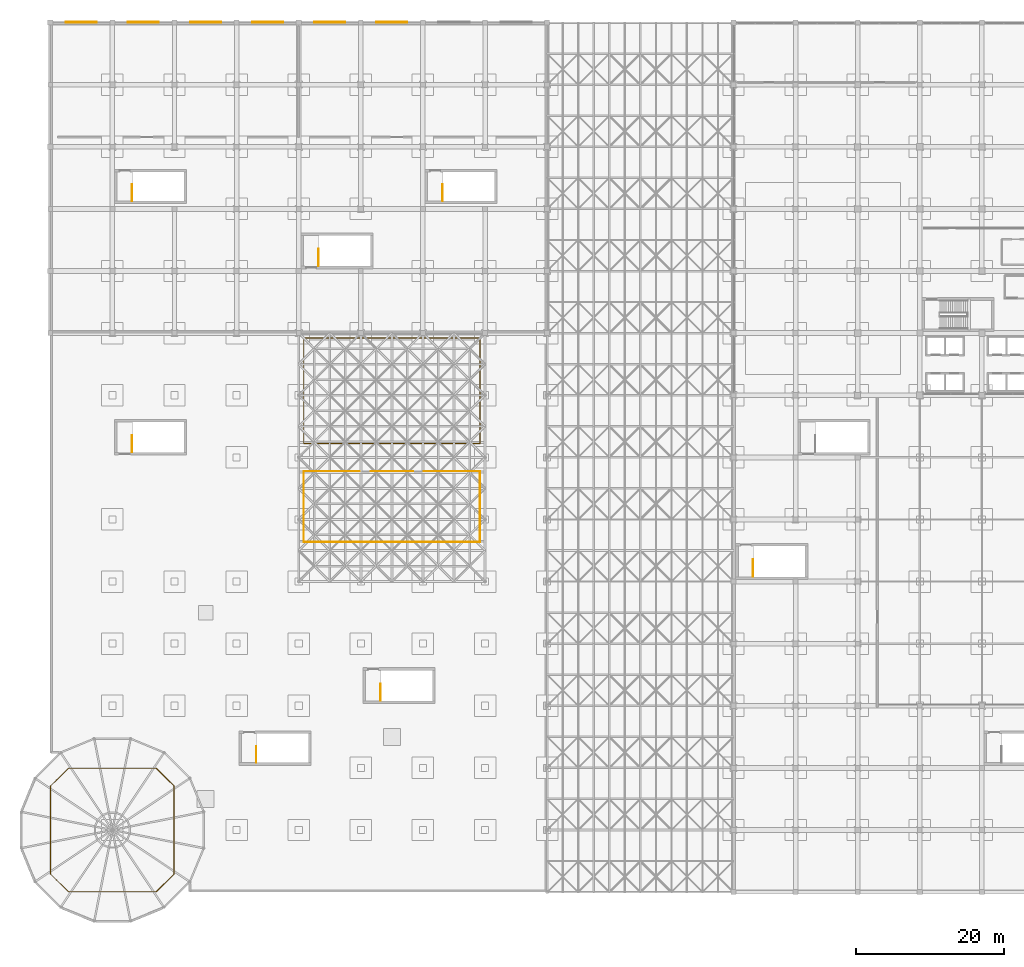
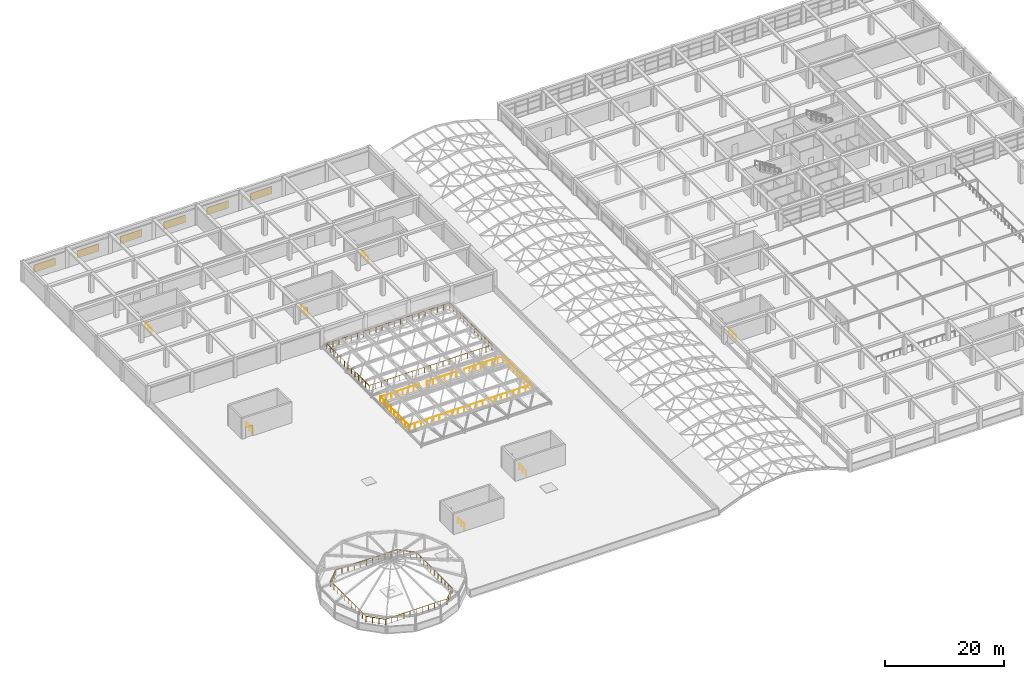
# One storey, part 81 of 85: 13 railings, 6 shading devices.
"""IFC4 building model written with IfcOpenShell, lengths in metres."""

from ifc_helpers import new_model, si_unit, direction, frame, origin, origin_2d, place, context, subcontext, project, spatial, rectangle, circle, extrude, material, layer, layer_set, type_object, element, save


model = new_model("IFC4")

# Units and contexts
model_context = context("Model", 3, precision=1e-05, world=origin(), true_north=direction((0.0, 1.0)))
body_context = subcontext(model_context, "Body", "Model", "MODEL_VIEW")
ifc_project = project(units=[si_unit("LENGTHUNIT", "METRE"), si_unit("AREAUNIT", "SQUARE_METRE"), si_unit("VOLUMEUNIT", "CUBIC_METRE"), si_unit("PLANEANGLEUNIT", "RADIAN"), si_unit("MASSUNIT", "GRAM", prefix="KILO")], contexts=[model_context])

# Site, building, storey
site_placement = place(None, origin())
site = spatial("IfcSite", under=ifc_project, at=site_placement, CompositionType="ELEMENT")
building_placement = place(site_placement, origin())
building = spatial("IfcBuilding", under=site, at=building_placement, Name="Almacenes y Pasaje Nevantli", CompositionType="ELEMENT")
storey_placement = place(building_placement, frame((0.0, 0.0, 22.199951171875)))
storey = spatial("IfcBuildingStorey", under=building, at=storey_placement, Name="L05", CompositionType="ELEMENT", Elevation=22.199951171875)

# Railings
ifc_material_1 = material(Name="Brushed Stainless Steel and Tempered Safety Glass", Category="steel")
railing_type = type_object("IfcRailingType", Name="RL-GUARD-1100", PredefinedType="BALUSTRADE", material=ifc_material_1)
for number, where, name in (
    (1, (11.06005859375, 93.489990234375, 0.0), "L05 Stair ST-03 Top Floor Well Guard"),
    (2, (27.860107421875, 17.5400390625, 0.0), "L05 Stair ST-04 Top Floor Well Guard"),
    (3, (53.06005859375, 93.489990234375, 0.0), "L05 Stair ST-05 Top Floor Well Guard"),
):
    element("IfcRailing", number, at=place(storey_placement, frame(where)), inside=storey, type_object=railing_type, Name=name, PredefinedType="BALUSTRADE", context=body_context, shape_type="SweptSolid", body=[
        extrude(circle(Radius=0.02392578125, at=origin_2d()), frame((0.0, 0.030029296875, 1.1259765625), z_axis=(0.0, 1.0, 0.0), x_axis=(-1.0, 0.0, 0.0)), (0.0, 0.0, 1.0), 2.139892578125),
        extrude(circle(Radius=0.02099609375, at=origin_2d()), origin(), (0.0, 0.0, 1.0), 1.096923828125),
        extrude(circle(Radius=0.02099609375, at=origin_2d()), frame((0.0, 1.10009765625, 0.0)), (0.0, 0.0, 1.0), 1.096923828125),
        extrude(circle(Radius=0.02099609375, at=origin_2d()), frame((0.0, 2.199951171875, 0.0)), (0.0, 0.0, 1.0), 1.096923828125),
    ])
for number, where, name in (
    (4, (95.06005859375, 42.68994140625, 0.0), "L05 Stair ST-08 Top Floor Well Guard"),
    (5, (11.06005859375, 59.489990234375, 0.0), "L05 Stair ST-12 Top Floor Well Guard"),
    (6, (44.659912109375, 25.889892578125, 0.0), "L05 Stair ST-14 Top Floor Well Guard"),
    (7, (36.260009765625, 84.68994140625, 0.0), "L05 Stair ST-15 Top Floor Well Guard"),
):
    element("IfcRailing", number, at=place(storey_placement, frame(where)), inside=storey, type_object=railing_type, Name=name, PredefinedType="BALUSTRADE", context=body_context, shape_type="SweptSolid", body=[
        extrude(circle(Radius=0.02392578125, at=origin_2d()), frame((0.0, 0.030029296875, 1.1259765625), z_axis=(0.0, 1.0, 0.0), x_axis=(-1.0, 0.0, 0.0)), (0.0, 0.0, 1.0), 2.239990234375),
        extrude(circle(Radius=0.02099609375, at=origin_2d()), origin(), (0.0, 0.0, 1.0), 1.096923828125),
        extrude(circle(Radius=0.02099609375, at=origin_2d()), frame((0.0, 1.14990234375, 0.0)), (0.0, 0.0, 1.0), 1.096923828125),
        extrude(circle(Radius=0.02099609375, at=origin_2d()), frame((0.0, 2.300048828125, 0.0)), (0.0, 0.0, 1.0), 1.096923828125),
    ])
railing_1_placement = place(storey_placement, frame((34.280029296875, 60.679931640625, 0.0)))
element("IfcRailing", 8, at=railing_1_placement, inside=storey, type_object=railing_type, Name="L05 North Atrium Void Perimeter Guard Balustrade", PredefinedType="BALUSTRADE", context=body_context, shape_type="SweptSolid", body=[
    extrude(circle(Radius=0.02392578125, at=origin_2d()), frame((0.030029296875, 0.0, 1.1259765625), z_axis=(1.0, 0.0, 0.0), x_axis=(0.0, 1.0, 0.0)), (0.0, 0.0, 1.0), 23.780029296875),
    extrude(circle(Radius=0.02392578125, at=origin_2d()), frame((23.840087890625, 0.030029296875, 1.1259765625), z_axis=(0.0, 1.0, 0.0), x_axis=(-1.0, 0.0, 0.0)), (0.0, 0.0, 1.0), 14.179931640625),
    extrude(circle(Radius=0.02392578125, at=origin_2d()), frame((23.81005859375, 14.239990234375, 1.1259765625), z_axis=(-1.0, 0.0, 0.0), x_axis=(0.0, -1.0, 0.0)), (0.0, 0.0, 1.0), 23.780029296875),
    extrude(circle(Radius=0.02392578125, at=origin_2d()), frame((0.0, 14.2099609375, 1.1259765625), z_axis=(0.0, -1.0, 0.0), x_axis=(1.0, 0.0, 0.0)), (0.0, 0.0, 1.0), 14.179931640625),
    extrude(circle(Radius=0.02099609375, at=origin_2d()), origin(), (0.0, 0.0, 1.0), 1.096923828125),
    extrude(circle(Radius=0.02099609375, at=origin_2d()), frame((1.19189453125, 0.0, 0.0)), (0.0, 0.0, 1.0), 1.096923828125),
    extrude(circle(Radius=0.02099609375, at=origin_2d()), frame((2.384033203125, 0.0, 0.0)), (0.0, 0.0, 1.0), 1.096923828125),
    extrude(circle(Radius=0.02099609375, at=origin_2d()), frame((3.575927734375, 0.0, 0.0)), (0.0, 0.0, 1.0), 1.096923828125),
    extrude(circle(Radius=0.02099609375, at=origin_2d()), frame((4.76806640625, 0.0, 0.0)), (0.0, 0.0, 1.0), 1.096923828125),
    extrude(circle(Radius=0.02099609375, at=origin_2d()), frame((5.9599609375, 0.0, 0.0)), (0.0, 0.0, 1.0), 1.096923828125),
    extrude(circle(Radius=0.02099609375, at=origin_2d()), frame((7.152099609375, 0.0, 0.0)), (0.0, 0.0, 1.0), 1.096923828125),
    extrude(circle(Radius=0.02099609375, at=origin_2d()), frame((8.343994140625, 0.0, 0.0)), (0.0, 0.0, 1.0), 1.096923828125),
    extrude(circle(Radius=0.02099609375, at=origin_2d()), frame((9.5361328125, 0.0, 0.0)), (0.0, 0.0, 1.0), 1.096923828125),
    extrude(circle(Radius=0.02099609375, at=origin_2d()), frame((10.72802734375, 0.0, 0.0)), (0.0, 0.0, 1.0), 1.096923828125),
    extrude(circle(Radius=0.02099609375, at=origin_2d()), frame((11.919921875, 0.0, 0.0)), (0.0, 0.0, 1.0), 1.096923828125),
    extrude(circle(Radius=0.02099609375, at=origin_2d()), frame((13.112060546875, 0.0, 0.0)), (0.0, 0.0, 1.0), 1.096923828125),
    extrude(circle(Radius=0.02099609375, at=origin_2d()), frame((14.303955078125, 0.0, 0.0)), (0.0, 0.0, 1.0), 1.096923828125),
    extrude(circle(Radius=0.02099609375, at=origin_2d()), frame((15.49609375, 0.0, 0.0)), (0.0, 0.0, 1.0), 1.096923828125),
    extrude(circle(Radius=0.02099609375, at=origin_2d()), frame((16.68798828125, 0.0, 0.0)), (0.0, 0.0, 1.0), 1.096923828125),
    extrude(circle(Radius=0.02099609375, at=origin_2d()), frame((17.880126953125, 0.0, 0.0)), (0.0, 0.0, 1.0), 1.096923828125),
    extrude(circle(Radius=0.02099609375, at=origin_2d()), frame((19.072021484375, 0.0, 0.0)), (0.0, 0.0, 1.0), 1.096923828125),
    extrude(circle(Radius=0.02099609375, at=origin_2d()), frame((20.26416015625, 0.0, 0.0)), (0.0, 0.0, 1.0), 1.096923828125),
    extrude(circle(Radius=0.02099609375, at=origin_2d()), frame((21.4560546875, 0.0, 0.0)), (0.0, 0.0, 1.0), 1.096923828125),
    extrude(circle(Radius=0.02099609375, at=origin_2d()), frame((22.648193359375, 0.0, 0.0)), (0.0, 0.0, 1.0), 1.096923828125),
    extrude(circle(Radius=0.02099609375, at=origin_2d()), frame((23.840087890625, 0.0, 0.0)), (0.0, 0.0, 1.0), 1.096923828125),
    extrude(circle(Radius=0.02099609375, at=origin_2d()), frame((23.840087890625, 1.186767578125, 0.0)), (0.0, 0.0, 1.0), 1.096923828125),
    extrude(circle(Radius=0.02099609375, at=origin_2d()), frame((23.840087890625, 2.373291015625, 0.0)), (0.0, 0.0, 1.0), 1.096923828125),
    extrude(circle(Radius=0.02099609375, at=origin_2d()), frame((23.840087890625, 3.56005859375, 0.0)), (0.0, 0.0, 1.0), 1.096923828125),
    extrude(circle(Radius=0.02099609375, at=origin_2d()), frame((23.840087890625, 4.74658203125, 0.0)), (0.0, 0.0, 1.0), 1.096923828125),
    extrude(circle(Radius=0.02099609375, at=origin_2d()), frame((23.840087890625, 5.933349609375, 0.0)), (0.0, 0.0, 1.0), 1.096923828125),
    extrude(circle(Radius=0.02099609375, at=origin_2d()), frame((23.840087890625, 7.1201171875, 0.0)), (0.0, 0.0, 1.0), 1.096923828125),
    extrude(circle(Radius=0.02099609375, at=origin_2d()), frame((23.840087890625, 8.306640625, 0.0)), (0.0, 0.0, 1.0), 1.096923828125),
    extrude(circle(Radius=0.02099609375, at=origin_2d()), frame((23.840087890625, 9.493408203125, 0.0)), (0.0, 0.0, 1.0), 1.096923828125),
    extrude(circle(Radius=0.02099609375, at=origin_2d()), frame((23.840087890625, 10.679931640625, 0.0)), (0.0, 0.0, 1.0), 1.096923828125),
    extrude(circle(Radius=0.02099609375, at=origin_2d()), frame((23.840087890625, 11.86669921875, 0.0)), (0.0, 0.0, 1.0), 1.096923828125),
    extrude(circle(Radius=0.02099609375, at=origin_2d()), frame((23.840087890625, 13.05322265625, 0.0)), (0.0, 0.0, 1.0), 1.096923828125),
    extrude(circle(Radius=0.02099609375, at=origin_2d()), frame((23.840087890625, 14.239990234375, 0.0)), (0.0, 0.0, 1.0), 1.096923828125),
    extrude(circle(Radius=0.02099609375, at=origin_2d()), frame((22.648193359375, 14.239990234375, 0.0)), (0.0, 0.0, 1.0), 1.096923828125),
    extrude(circle(Radius=0.02099609375, at=origin_2d()), frame((21.4560546875, 14.239990234375, 0.0)), (0.0, 0.0, 1.0), 1.096923828125),
    extrude(circle(Radius=0.02099609375, at=origin_2d()), frame((20.26416015625, 14.239990234375, 0.0)), (0.0, 0.0, 1.0), 1.096923828125),
    extrude(circle(Radius=0.02099609375, at=origin_2d()), frame((19.072021484375, 14.239990234375, 0.0)), (0.0, 0.0, 1.0), 1.096923828125),
    extrude(circle(Radius=0.02099609375, at=origin_2d()), frame((17.880126953125, 14.239990234375, 0.0)), (0.0, 0.0, 1.0), 1.096923828125),
    extrude(circle(Radius=0.02099609375, at=origin_2d()), frame((16.68798828125, 14.239990234375, 0.0)), (0.0, 0.0, 1.0), 1.096923828125),
    extrude(circle(Radius=0.02099609375, at=origin_2d()), frame((15.49609375, 14.239990234375, 0.0)), (0.0, 0.0, 1.0), 1.096923828125),
    extrude(circle(Radius=0.02099609375, at=origin_2d()), frame((14.303955078125, 14.239990234375, 0.0)), (0.0, 0.0, 1.0), 1.096923828125),
    extrude(circle(Radius=0.02099609375, at=origin_2d()), frame((13.112060546875, 14.239990234375, 0.0)), (0.0, 0.0, 1.0), 1.096923828125),
    extrude(circle(Radius=0.02099609375, at=origin_2d()), frame((11.919921875, 14.239990234375, 0.0)), (0.0, 0.0, 1.0), 1.096923828125),
    extrude(circle(Radius=0.02099609375, at=origin_2d()), frame((10.72802734375, 14.239990234375, 0.0)), (0.0, 0.0, 1.0), 1.096923828125),
    extrude(circle(Radius=0.02099609375, at=origin_2d()), frame((9.5361328125, 14.239990234375, 0.0)), (0.0, 0.0, 1.0), 1.096923828125),
    extrude(circle(Radius=0.02099609375, at=origin_2d()), frame((8.343994140625, 14.239990234375, 0.0)), (0.0, 0.0, 1.0), 1.096923828125),
    extrude(circle(Radius=0.02099609375, at=origin_2d()), frame((7.152099609375, 14.239990234375, 0.0)), (0.0, 0.0, 1.0), 1.096923828125),
    extrude(circle(Radius=0.02099609375, at=origin_2d()), frame((5.9599609375, 14.239990234375, 0.0)), (0.0, 0.0, 1.0), 1.096923828125),
    extrude(circle(Radius=0.02099609375, at=origin_2d()), frame((4.76806640625, 14.239990234375, 0.0)), (0.0, 0.0, 1.0), 1.096923828125),
    extrude(circle(Radius=0.02099609375, at=origin_2d()), frame((3.575927734375, 14.239990234375, 0.0)), (0.0, 0.0, 1.0), 1.096923828125),
    extrude(circle(Radius=0.02099609375, at=origin_2d()), frame((2.384033203125, 14.239990234375, 0.0)), (0.0, 0.0, 1.0), 1.096923828125),
    extrude(circle(Radius=0.02099609375, at=origin_2d()), frame((1.19189453125, 14.239990234375, 0.0)), (0.0, 0.0, 1.0), 1.096923828125),
    extrude(circle(Radius=0.02099609375, at=origin_2d()), frame((0.0, 14.239990234375, 0.0)), (0.0, 0.0, 1.0), 1.096923828125),
    extrude(circle(Radius=0.02099609375, at=origin_2d()), frame((0.0, 13.05322265625, 0.0)), (0.0, 0.0, 1.0), 1.096923828125),
    extrude(circle(Radius=0.02099609375, at=origin_2d()), frame((0.0, 11.86669921875, 0.0)), (0.0, 0.0, 1.0), 1.096923828125),
    extrude(circle(Radius=0.02099609375, at=origin_2d()), frame((0.0, 10.679931640625, 0.0)), (0.0, 0.0, 1.0), 1.096923828125),
    extrude(circle(Radius=0.02099609375, at=origin_2d()), frame((0.0, 9.493408203125, 0.0)), (0.0, 0.0, 1.0), 1.096923828125),
    extrude(circle(Radius=0.02099609375, at=origin_2d()), frame((0.0, 8.306640625, 0.0)), (0.0, 0.0, 1.0), 1.096923828125),
    extrude(circle(Radius=0.02099609375, at=origin_2d()), frame((0.0, 7.1201171875, 0.0)), (0.0, 0.0, 1.0), 1.096923828125),
    extrude(circle(Radius=0.02099609375, at=origin_2d()), frame((0.0, 5.933349609375, 0.0)), (0.0, 0.0, 1.0), 1.096923828125),
    extrude(circle(Radius=0.02099609375, at=origin_2d()), frame((0.0, 4.74658203125, 0.0)), (0.0, 0.0, 1.0), 1.096923828125),
    extrude(circle(Radius=0.02099609375, at=origin_2d()), frame((0.0, 3.56005859375, 0.0)), (0.0, 0.0, 1.0), 1.096923828125),
    extrude(circle(Radius=0.02099609375, at=origin_2d()), frame((0.0, 2.373291015625, 0.0)), (0.0, 0.0, 1.0), 1.096923828125),
    extrude(circle(Radius=0.02099609375, at=origin_2d()), frame((0.0, 1.186767578125, 0.0)), (0.0, 0.0, 1.0), 1.096923828125),
])
railing_2_placement = place(storey_placement, frame((41.85009765625, 56.919921875, 0.0)))
element("IfcRailing", 9, at=railing_2_placement, inside=storey, type_object=railing_type, Name="L05 South Atrium Void West Guard Balustrade", PredefinedType="BALUSTRADE", context=body_context, shape_type="SweptSolid", body=[
    extrude(circle(Radius=0.02392578125, at=origin_2d()), frame((-0.030029296875, 0.0, 1.1259765625), z_axis=(-1.0, 0.0, 0.0), x_axis=(0.0, -1.0, 0.0)), (0.0, 0.0, 1.0), 7.510009765625),
    extrude(circle(Radius=0.02392578125, at=origin_2d()), frame((-7.570068359375, -0.030029296875, 1.1259765625), z_axis=(0.0, -1.0, 0.0), x_axis=(1.0, 0.0, 0.0)), (0.0, 0.0, 1.0), 9.52978515625),
    extrude(circle(Radius=0.02099609375, at=origin_2d()), origin(), (0.0, 0.0, 1.0), 1.096923828125),
    extrude(circle(Radius=0.02099609375, at=origin_2d()), frame((-1.08154296875, 0.0, 0.0)), (0.0, 0.0, 1.0), 1.096923828125),
    extrude(circle(Radius=0.02099609375, at=origin_2d()), frame((-2.162841796875, 0.0, 0.0)), (0.0, 0.0, 1.0), 1.096923828125),
    extrude(circle(Radius=0.02099609375, at=origin_2d()), frame((-3.244384765625, 0.0, 0.0)), (0.0, 0.0, 1.0), 1.096923828125),
    extrude(circle(Radius=0.02099609375, at=origin_2d()), frame((-4.32568359375, 0.0, 0.0)), (0.0, 0.0, 1.0), 1.096923828125),
    extrude(circle(Radius=0.02099609375, at=origin_2d()), frame((-5.4072265625, 0.0, 0.0)), (0.0, 0.0, 1.0), 1.096923828125),
    extrude(circle(Radius=0.02099609375, at=origin_2d()), frame((-6.488525390625, 0.0, 0.0)), (0.0, 0.0, 1.0), 1.096923828125),
    extrude(circle(Radius=0.02099609375, at=origin_2d()), frame((-7.570068359375, 0.0, 0.0)), (0.0, 0.0, 1.0), 1.096923828125),
    extrude(circle(Radius=0.02099609375, at=origin_2d()), frame((-7.570068359375, -1.19873046875, 0.0)), (0.0, 0.0, 1.0), 1.096923828125),
    extrude(circle(Radius=0.02099609375, at=origin_2d()), frame((-7.570068359375, -2.3974609375, 0.0)), (0.0, 0.0, 1.0), 1.096923828125),
    extrude(circle(Radius=0.02099609375, at=origin_2d()), frame((-7.570068359375, -3.59619140625, 0.0)), (0.0, 0.0, 1.0), 1.096923828125),
    extrude(circle(Radius=0.02099609375, at=origin_2d()), frame((-7.570068359375, -4.794921875, 0.0)), (0.0, 0.0, 1.0), 1.096923828125),
    extrude(circle(Radius=0.02099609375, at=origin_2d()), frame((-7.570068359375, -5.99365234375, 0.0)), (0.0, 0.0, 1.0), 1.096923828125),
    extrude(circle(Radius=0.02099609375, at=origin_2d()), frame((-7.570068359375, -7.1923828125, 0.0)), (0.0, 0.0, 1.0), 1.096923828125),
    extrude(circle(Radius=0.02099609375, at=origin_2d()), frame((-7.570068359375, -8.39111328125, 0.0)), (0.0, 0.0, 1.0), 1.096923828125),
    extrude(circle(Radius=0.02099609375, at=origin_2d()), frame((-7.570068359375, -9.58984375, 0.0)), (0.0, 0.0, 1.0), 1.096923828125),
])
railing_3_placement = place(storey_placement, frame((43.35009765625, 56.919921875, 0.0)))
element("IfcRailing", 10, at=railing_3_placement, inside=storey, type_object=railing_type, Name="L05 South Atrium Bridge Center Guard Balustrade", PredefinedType="BALUSTRADE", context=body_context, shape_type="SweptSolid", body=[
    extrude(circle(Radius=0.02392578125, at=origin_2d()), frame((0.030029296875, 0.0, 1.1259765625), z_axis=(1.0, 0.0, 0.0), x_axis=(0.0, 1.0, 0.0)), (0.0, 0.0, 1.0), 5.639892578125),
    extrude(circle(Radius=0.02099609375, at=origin_2d()), origin(), (0.0, 0.0, 1.0), 1.096923828125),
    extrude(circle(Radius=0.02099609375, at=origin_2d()), frame((1.139892578125, 0.0, 0.0)), (0.0, 0.0, 1.0), 1.096923828125),
    extrude(circle(Radius=0.02099609375, at=origin_2d()), frame((2.280029296875, 0.0, 0.0)), (0.0, 0.0, 1.0), 1.096923828125),
    extrude(circle(Radius=0.02099609375, at=origin_2d()), frame((3.419921875, 0.0, 0.0)), (0.0, 0.0, 1.0), 1.096923828125),
    extrude(circle(Radius=0.02099609375, at=origin_2d()), frame((4.56005859375, 0.0, 0.0)), (0.0, 0.0, 1.0), 1.096923828125),
    extrude(circle(Radius=0.02099609375, at=origin_2d()), frame((5.699951171875, 0.0, 0.0)), (0.0, 0.0, 1.0), 1.096923828125),
])
railing_4_placement = place(storey_placement, frame((50.550048828125, 56.919921875, 0.0)))
element("IfcRailing", 11, at=railing_4_placement, inside=storey, type_object=railing_type, Name="L05 South Atrium Void East Guard Balustrade", PredefinedType="BALUSTRADE", context=body_context, shape_type="SweptSolid", body=[
    extrude(circle(Radius=0.02392578125, at=origin_2d()), frame((0.030029296875, 0.0, 1.1259765625), z_axis=(1.0, 0.0, 0.0), x_axis=(0.0, 1.0, 0.0)), (0.0, 0.0, 1.0), 7.510009765625),
    extrude(circle(Radius=0.02392578125, at=origin_2d()), frame((7.570068359375, -0.030029296875, 1.1259765625), z_axis=(0.0, -1.0, 0.0), x_axis=(1.0, 0.0, 0.0)), (0.0, 0.0, 1.0), 9.52978515625),
    extrude(circle(Radius=0.02099609375, at=origin_2d()), origin(), (0.0, 0.0, 1.0), 1.096923828125),
    extrude(circle(Radius=0.02099609375, at=origin_2d()), frame((1.08154296875, 0.0, 0.0)), (0.0, 0.0, 1.0), 1.096923828125),
    extrude(circle(Radius=0.02099609375, at=origin_2d()), frame((2.162841796875, 0.0, 0.0)), (0.0, 0.0, 1.0), 1.096923828125),
    extrude(circle(Radius=0.02099609375, at=origin_2d()), frame((3.244384765625, 0.0, 0.0)), (0.0, 0.0, 1.0), 1.096923828125),
    extrude(circle(Radius=0.02099609375, at=origin_2d()), frame((4.32568359375, 0.0, 0.0)), (0.0, 0.0, 1.0), 1.096923828125),
    extrude(circle(Radius=0.02099609375, at=origin_2d()), frame((5.4072265625, 0.0, 0.0)), (0.0, 0.0, 1.0), 1.096923828125),
    extrude(circle(Radius=0.02099609375, at=origin_2d()), frame((6.488525390625, 0.0, 0.0)), (0.0, 0.0, 1.0), 1.096923828125),
    extrude(circle(Radius=0.02099609375, at=origin_2d()), frame((7.570068359375, 0.0, 0.0)), (0.0, 0.0, 1.0), 1.096923828125),
    extrude(circle(Radius=0.02099609375, at=origin_2d()), frame((7.570068359375, -1.19873046875, 0.0)), (0.0, 0.0, 1.0), 1.096923828125),
    extrude(circle(Radius=0.02099609375, at=origin_2d()), frame((7.570068359375, -2.3974609375, 0.0)), (0.0, 0.0, 1.0), 1.096923828125),
    extrude(circle(Radius=0.02099609375, at=origin_2d()), frame((7.570068359375, -3.59619140625, 0.0)), (0.0, 0.0, 1.0), 1.096923828125),
    extrude(circle(Radius=0.02099609375, at=origin_2d()), frame((7.570068359375, -4.794921875, 0.0)), (0.0, 0.0, 1.0), 1.096923828125),
    extrude(circle(Radius=0.02099609375, at=origin_2d()), frame((7.570068359375, -5.99365234375, 0.0)), (0.0, 0.0, 1.0), 1.096923828125),
    extrude(circle(Radius=0.02099609375, at=origin_2d()), frame((7.570068359375, -7.1923828125, 0.0)), (0.0, 0.0, 1.0), 1.096923828125),
    extrude(circle(Radius=0.02099609375, at=origin_2d()), frame((7.570068359375, -8.39111328125, 0.0)), (0.0, 0.0, 1.0), 1.096923828125),
    extrude(circle(Radius=0.02099609375, at=origin_2d()), frame((7.570068359375, -9.58984375, 0.0)), (0.0, 0.0, 1.0), 1.096923828125),
])
railing_5_placement = place(storey_placement, frame((34.280029296875, 47.330078125, 0.0)))
element("IfcRailing", 12, at=railing_5_placement, inside=storey, type_object=railing_type, Name="L05 South Atrium Skylight Edge Guard", PredefinedType="BALUSTRADE", context=body_context, shape_type="SweptSolid", body=[
    extrude(circle(Radius=0.02392578125, at=origin_2d()), frame((0.030029296875, 0.0, 1.1259765625), z_axis=(1.0, 0.0, 0.0), x_axis=(0.0, 1.0, 0.0)), (0.0, 0.0, 1.0), 23.780029296875),
    extrude(circle(Radius=0.02099609375, at=origin_2d()), origin(), (0.0, 0.0, 1.0), 1.096923828125),
    extrude(circle(Radius=0.02099609375, at=origin_2d()), frame((1.19189453125, 0.0, 0.0)), (0.0, 0.0, 1.0), 1.096923828125),
    extrude(circle(Radius=0.02099609375, at=origin_2d()), frame((2.384033203125, 0.0, 0.0)), (0.0, 0.0, 1.0), 1.096923828125),
    extrude(circle(Radius=0.02099609375, at=origin_2d()), frame((3.575927734375, 0.0, 0.0)), (0.0, 0.0, 1.0), 1.096923828125),
    extrude(circle(Radius=0.02099609375, at=origin_2d()), frame((4.76806640625, 0.0, 0.0)), (0.0, 0.0, 1.0), 1.096923828125),
    extrude(circle(Radius=0.02099609375, at=origin_2d()), frame((5.9599609375, 0.0, 0.0)), (0.0, 0.0, 1.0), 1.096923828125),
    extrude(circle(Radius=0.02099609375, at=origin_2d()), frame((7.152099609375, 0.0, 0.0)), (0.0, 0.0, 1.0), 1.096923828125),
    extrude(circle(Radius=0.02099609375, at=origin_2d()), frame((8.343994140625, 0.0, 0.0)), (0.0, 0.0, 1.0), 1.096923828125),
    extrude(circle(Radius=0.02099609375, at=origin_2d()), frame((9.5361328125, 0.0, 0.0)), (0.0, 0.0, 1.0), 1.096923828125),
    extrude(circle(Radius=0.02099609375, at=origin_2d()), frame((10.72802734375, 0.0, 0.0)), (0.0, 0.0, 1.0), 1.096923828125),
    extrude(circle(Radius=0.02099609375, at=origin_2d()), frame((11.919921875, 0.0, 0.0)), (0.0, 0.0, 1.0), 1.096923828125),
    extrude(circle(Radius=0.02099609375, at=origin_2d()), frame((13.112060546875, 0.0, 0.0)), (0.0, 0.0, 1.0), 1.096923828125),
    extrude(circle(Radius=0.02099609375, at=origin_2d()), frame((14.303955078125, 0.0, 0.0)), (0.0, 0.0, 1.0), 1.096923828125),
    extrude(circle(Radius=0.02099609375, at=origin_2d()), frame((15.49609375, 0.0, 0.0)), (0.0, 0.0, 1.0), 1.096923828125),
    extrude(circle(Radius=0.02099609375, at=origin_2d()), frame((16.68798828125, 0.0, 0.0)), (0.0, 0.0, 1.0), 1.096923828125),
    extrude(circle(Radius=0.02099609375, at=origin_2d()), frame((17.880126953125, 0.0, 0.0)), (0.0, 0.0, 1.0), 1.096923828125),
    extrude(circle(Radius=0.02099609375, at=origin_2d()), frame((19.072021484375, 0.0, 0.0)), (0.0, 0.0, 1.0), 1.096923828125),
    extrude(circle(Radius=0.02099609375, at=origin_2d()), frame((20.26416015625, 0.0, 0.0)), (0.0, 0.0, 1.0), 1.096923828125),
    extrude(circle(Radius=0.02099609375, at=origin_2d()), frame((21.4560546875, 0.0, 0.0)), (0.0, 0.0, 1.0), 1.096923828125),
    extrude(circle(Radius=0.02099609375, at=origin_2d()), frame((22.648193359375, 0.0, 0.0)), (0.0, 0.0, 1.0), 1.096923828125),
    extrude(circle(Radius=0.02099609375, at=origin_2d()), frame((23.840087890625, 0.0, 0.0)), (0.0, 0.0, 1.0), 1.096923828125),
])
railing_6_placement = place(storey_placement, frame((2.449951171875, 0.050048828125, 0.0)))
element("IfcRailing", 13, at=railing_6_placement, inside=storey, type_object=railing_type, Name="L05 Rotunda Lantern Void Perimeter Guard Balustrade", PredefinedType="BALUSTRADE", context=body_context, shape_type="SweptSolid", body=[
    extrude(circle(Radius=0.02392578125, at=origin_2d()), frame((0.030029296875, 0.0, 1.1259765625), z_axis=(1.0, 0.0, 0.0), x_axis=(0.0, 1.0, 0.0)), (0.0, 0.0, 1.0), 11.840087890625),
    extrude(circle(Radius=0.02392578125, at=origin_2d()), frame((11.92138671875, 0.021240234375, 1.1259765625), z_axis=(0.707106781187, 0.707106781187, 0.0), x_axis=(-0.707106781187, 0.707106781187, 0.0)), (0.0, 0.0, 1.0), 3.333984375),
    extrude(circle(Radius=0.02392578125, at=origin_2d()), frame((14.300048828125, 2.429931640625, 1.1259765625), z_axis=(0.0, 1.0, 0.0), x_axis=(-1.0, 0.0, 0.0)), (0.0, 0.0, 1.0), 11.840087890625),
    extrude(circle(Radius=0.02392578125, at=origin_2d()), frame((14.27880859375, 14.3212890625, 1.1259765625), z_axis=(-0.707106781187, 0.707106781187, 0.0), x_axis=(-0.707106781187, -0.707106781187, 0.0)), (0.0, 0.0, 1.0), 3.333984375),
    extrude(circle(Radius=0.02392578125, at=origin_2d()), frame((11.8701171875, 16.699951171875, 1.1259765625), z_axis=(-1.0, 0.0, 0.0), x_axis=(0.0, -1.0, 0.0)), (0.0, 0.0, 1.0), 11.840087890625),
    extrude(circle(Radius=0.02392578125, at=origin_2d()), frame((-0.021240234375, 16.6787109375, 1.1259765625), z_axis=(-0.707106781187, -0.707106781187, 0.0), x_axis=(0.707106781187, -0.707106781187, 0.0)), (0.0, 0.0, 1.0), 3.333984375),
    extrude(circle(Radius=0.02392578125, at=origin_2d()), frame((-2.39990234375, 14.27001953125, 1.1259765625), z_axis=(0.0, -1.0, 0.0), x_axis=(1.0, 0.0, 0.0)), (0.0, 0.0, 1.0), 11.840087890625),
    extrude(circle(Radius=0.02392578125, at=origin_2d()), frame((-2.378662109375, 2.378662109375, 1.1259765625), z_axis=(0.707106781187, -0.707106781187, 0.0), x_axis=(0.707106781187, 0.707106781187, 0.0)), (0.0, 0.0, 1.0), 3.333984375),
    extrude(circle(Radius=0.02099609375, at=origin_2d()), origin(), (0.0, 0.0, 1.0), 1.096923828125),
    extrude(circle(Radius=0.02099609375, at=origin_2d()), frame((1.18994140625, 0.0, 0.0)), (0.0, 0.0, 1.0), 1.096923828125),
    extrude(circle(Radius=0.02099609375, at=origin_2d()), frame((2.380126953125, 0.0, 0.0)), (0.0, 0.0, 1.0), 1.096923828125),
    extrude(circle(Radius=0.02099609375, at=origin_2d()), frame((3.570068359375, 0.0, 0.0)), (0.0, 0.0, 1.0), 1.096923828125),
    extrude(circle(Radius=0.02099609375, at=origin_2d()), frame((4.760009765625, 0.0, 0.0)), (0.0, 0.0, 1.0), 1.096923828125),
    extrude(circle(Radius=0.02099609375, at=origin_2d()), frame((5.9501953125, 0.0, 0.0)), (0.0, 0.0, 1.0), 1.096923828125),
    extrude(circle(Radius=0.02099609375, at=origin_2d()), frame((7.14013671875, 0.0, 0.0)), (0.0, 0.0, 1.0), 1.096923828125),
    extrude(circle(Radius=0.02099609375, at=origin_2d()), frame((8.330078125, 0.0, 0.0)), (0.0, 0.0, 1.0), 1.096923828125),
    extrude(circle(Radius=0.02099609375, at=origin_2d()), frame((9.52001953125, 0.0, 0.0)), (0.0, 0.0, 1.0), 1.096923828125),
    extrude(circle(Radius=0.02099609375, at=origin_2d()), frame((10.710205078125, 0.0, 0.0)), (0.0, 0.0, 1.0), 1.096923828125),
    extrude(circle(Radius=0.02099609375, at=origin_2d()), frame((11.900146484375, 0.0, 0.0)), (0.0, 0.0, 1.0), 1.096923828125),
    extrude(circle(Radius=0.02099609375, at=origin_2d()), frame((12.7001953125, 0.800048828125, 0.0)), (0.0, 0.0, 1.0), 1.096923828125),
    extrude(circle(Radius=0.02099609375, at=origin_2d()), frame((13.5, 1.599853515625, 0.0)), (0.0, 0.0, 1.0), 1.096923828125),
    extrude(circle(Radius=0.02099609375, at=origin_2d()), frame((14.300048828125, 2.39990234375, 0.0)), (0.0, 0.0, 1.0), 1.096923828125),
    extrude(circle(Radius=0.02099609375, at=origin_2d()), frame((14.300048828125, 3.58984375, 0.0)), (0.0, 0.0, 1.0), 1.096923828125),
    extrude(circle(Radius=0.02099609375, at=origin_2d()), frame((14.300048828125, 4.780029296875, 0.0)), (0.0, 0.0, 1.0), 1.096923828125),
    extrude(circle(Radius=0.02099609375, at=origin_2d()), frame((14.300048828125, 5.969970703125, 0.0)), (0.0, 0.0, 1.0), 1.096923828125),
    extrude(circle(Radius=0.02099609375, at=origin_2d()), frame((14.300048828125, 7.159912109375, 0.0)), (0.0, 0.0, 1.0), 1.096923828125),
    extrude(circle(Radius=0.02099609375, at=origin_2d()), frame((14.300048828125, 8.35009765625, 0.0)), (0.0, 0.0, 1.0), 1.096923828125),
    extrude(circle(Radius=0.02099609375, at=origin_2d()), frame((14.300048828125, 9.5400390625, 0.0)), (0.0, 0.0, 1.0), 1.096923828125),
    extrude(circle(Radius=0.02099609375, at=origin_2d()), frame((14.300048828125, 10.72998046875, 0.0)), (0.0, 0.0, 1.0), 1.096923828125),
    extrude(circle(Radius=0.02099609375, at=origin_2d()), frame((14.300048828125, 11.919921875, 0.0)), (0.0, 0.0, 1.0), 1.096923828125),
    extrude(circle(Radius=0.02099609375, at=origin_2d()), frame((14.300048828125, 13.110107421875, 0.0)), (0.0, 0.0, 1.0), 1.096923828125),
    extrude(circle(Radius=0.02099609375, at=origin_2d()), frame((14.300048828125, 14.300048828125, 0.0)), (0.0, 0.0, 1.0), 1.096923828125),
    extrude(circle(Radius=0.02099609375, at=origin_2d()), frame((13.5, 15.10009765625, 0.0)), (0.0, 0.0, 1.0), 1.096923828125),
    extrude(circle(Radius=0.02099609375, at=origin_2d()), frame((12.7001953125, 15.89990234375, 0.0)), (0.0, 0.0, 1.0), 1.096923828125),
    extrude(circle(Radius=0.02099609375, at=origin_2d()), frame((11.900146484375, 16.699951171875, 0.0)), (0.0, 0.0, 1.0), 1.096923828125),
    extrude(circle(Radius=0.02099609375, at=origin_2d()), frame((10.710205078125, 16.699951171875, 0.0)), (0.0, 0.0, 1.0), 1.096923828125),
    extrude(circle(Radius=0.02099609375, at=origin_2d()), frame((9.52001953125, 16.699951171875, 0.0)), (0.0, 0.0, 1.0), 1.096923828125),
    extrude(circle(Radius=0.02099609375, at=origin_2d()), frame((8.330078125, 16.699951171875, 0.0)), (0.0, 0.0, 1.0), 1.096923828125),
    extrude(circle(Radius=0.02099609375, at=origin_2d()), frame((7.14013671875, 16.699951171875, 0.0)), (0.0, 0.0, 1.0), 1.096923828125),
    extrude(circle(Radius=0.02099609375, at=origin_2d()), frame((5.9501953125, 16.699951171875, 0.0)), (0.0, 0.0, 1.0), 1.096923828125),
    extrude(circle(Radius=0.02099609375, at=origin_2d()), frame((4.760009765625, 16.699951171875, 0.0)), (0.0, 0.0, 1.0), 1.096923828125),
    extrude(circle(Radius=0.02099609375, at=origin_2d()), frame((3.570068359375, 16.699951171875, 0.0)), (0.0, 0.0, 1.0), 1.096923828125),
    extrude(circle(Radius=0.02099609375, at=origin_2d()), frame((2.380126953125, 16.699951171875, 0.0)), (0.0, 0.0, 1.0), 1.096923828125),
    extrude(circle(Radius=0.02099609375, at=origin_2d()), frame((1.18994140625, 16.699951171875, 0.0)), (0.0, 0.0, 1.0), 1.096923828125),
    extrude(circle(Radius=0.02099609375, at=origin_2d()), frame((0.0, 16.699951171875, 0.0)), (0.0, 0.0, 1.0), 1.096923828125),
    extrude(circle(Radius=0.02099609375, at=origin_2d()), frame((-0.800048828125, 15.89990234375, 0.0)), (0.0, 0.0, 1.0), 1.096923828125),
    extrude(circle(Radius=0.02099609375, at=origin_2d()), frame((-1.599853515625, 15.10009765625, 0.0)), (0.0, 0.0, 1.0), 1.096923828125),
    extrude(circle(Radius=0.02099609375, at=origin_2d()), frame((-2.39990234375, 14.300048828125, 0.0)), (0.0, 0.0, 1.0), 1.096923828125),
    extrude(circle(Radius=0.02099609375, at=origin_2d()), frame((-2.39990234375, 13.110107421875, 0.0)), (0.0, 0.0, 1.0), 1.096923828125),
    extrude(circle(Radius=0.02099609375, at=origin_2d()), frame((-2.39990234375, 11.919921875, 0.0)), (0.0, 0.0, 1.0), 1.096923828125),
    extrude(circle(Radius=0.02099609375, at=origin_2d()), frame((-2.39990234375, 10.72998046875, 0.0)), (0.0, 0.0, 1.0), 1.096923828125),
    extrude(circle(Radius=0.02099609375, at=origin_2d()), frame((-2.39990234375, 9.5400390625, 0.0)), (0.0, 0.0, 1.0), 1.096923828125),
    extrude(circle(Radius=0.02099609375, at=origin_2d()), frame((-2.39990234375, 8.35009765625, 0.0)), (0.0, 0.0, 1.0), 1.096923828125),
    extrude(circle(Radius=0.02099609375, at=origin_2d()), frame((-2.39990234375, 7.159912109375, 0.0)), (0.0, 0.0, 1.0), 1.096923828125),
    extrude(circle(Radius=0.02099609375, at=origin_2d()), frame((-2.39990234375, 5.969970703125, 0.0)), (0.0, 0.0, 1.0), 1.096923828125),
    extrude(circle(Radius=0.02099609375, at=origin_2d()), frame((-2.39990234375, 4.780029296875, 0.0)), (0.0, 0.0, 1.0), 1.096923828125),
    extrude(circle(Radius=0.02099609375, at=origin_2d()), frame((-2.39990234375, 3.58984375, 0.0)), (0.0, 0.0, 1.0), 1.096923828125),
    extrude(circle(Radius=0.02099609375, at=origin_2d()), frame((-2.39990234375, 2.39990234375, 0.0)), (0.0, 0.0, 1.0), 1.096923828125),
    extrude(circle(Radius=0.02099609375, at=origin_2d()), frame((-1.599853515625, 1.599853515625, 0.0)), (0.0, 0.0, 1.0), 1.096923828125),
    extrude(circle(Radius=0.02099609375, at=origin_2d()), frame((-0.800048828125, 0.800048828125, 0.0)), (0.0, 0.0, 1.0), 1.096923828125),
])

# Shading devices
ifc_material_2 = material(Name="Powder-Coated Acoustic Aluminium Louver", Category="aluminium")
ifc_layer = layer(ifc_material_2, 0.1201171875)
ifc_layer_set = layer_set([ifc_layer], Name="Powder-Coated Acoustic Aluminium Louver")
shading_device_type = type_object("IfcShadingDeviceType", Name="SHD-LOUVER-ALU", PredefinedType="JALOUSIE", material=ifc_layer_set)
for number, where, z_axis, x_axis, name in (
    (14, (4.199951171875, 117.6201171875, 1.050048828125), (0.0, 0.0, 1.0), (1.0, 0.0, 0.0), "L05 Mechanical Plant Acoustic Louver #1"),
    (15, (12.60009765625, 117.6201171875, 1.050048828125), (0.0, 0.0, 1.0), (1.0, 0.0, 0.0), "L05 Mechanical Plant Acoustic Louver #2"),
    (16, (21.0, 117.6201171875, 1.050048828125), (0.0, 0.0, 1.0), (1.0, 0.0, 0.0), "L05 Mechanical Plant Acoustic Louver #3"),
    (17, (29.39990234375, 117.6201171875, 1.050048828125), (0.0, 0.0, 1.0), (1.0, 0.0, 0.0), "L05 Mechanical Plant Acoustic Louver #4"),
    (18, (37.800048828125, 117.6201171875, 1.050048828125), (0.0, 0.0, 1.0), (1.0, 0.0, 0.0), "L05 Mechanical Plant Acoustic Louver #5"),
    (19, (46.199951171875, 117.6201171875, 1.050048828125), (0.0, 0.0, 1.0), (1.0, 0.0, 0.0), "L05 Mechanical Plant Acoustic Louver #6"),
):
    element("IfcShadingDevice", number, at=place(storey_placement, frame(where, z_axis=z_axis, x_axis=x_axis)), inside=storey, type_object=shading_device_type, Name=name, PredefinedType="JALOUSIE", context=body_context, shape_type="SweptSolid", body=[
        extrude(rectangle(XDim=4.199951171875, YDim=0.1201171875, at=origin_2d()), origin(), (0.0, 0.0, 1.0), 1.5),
    ])

save(model, "model.ifc")
